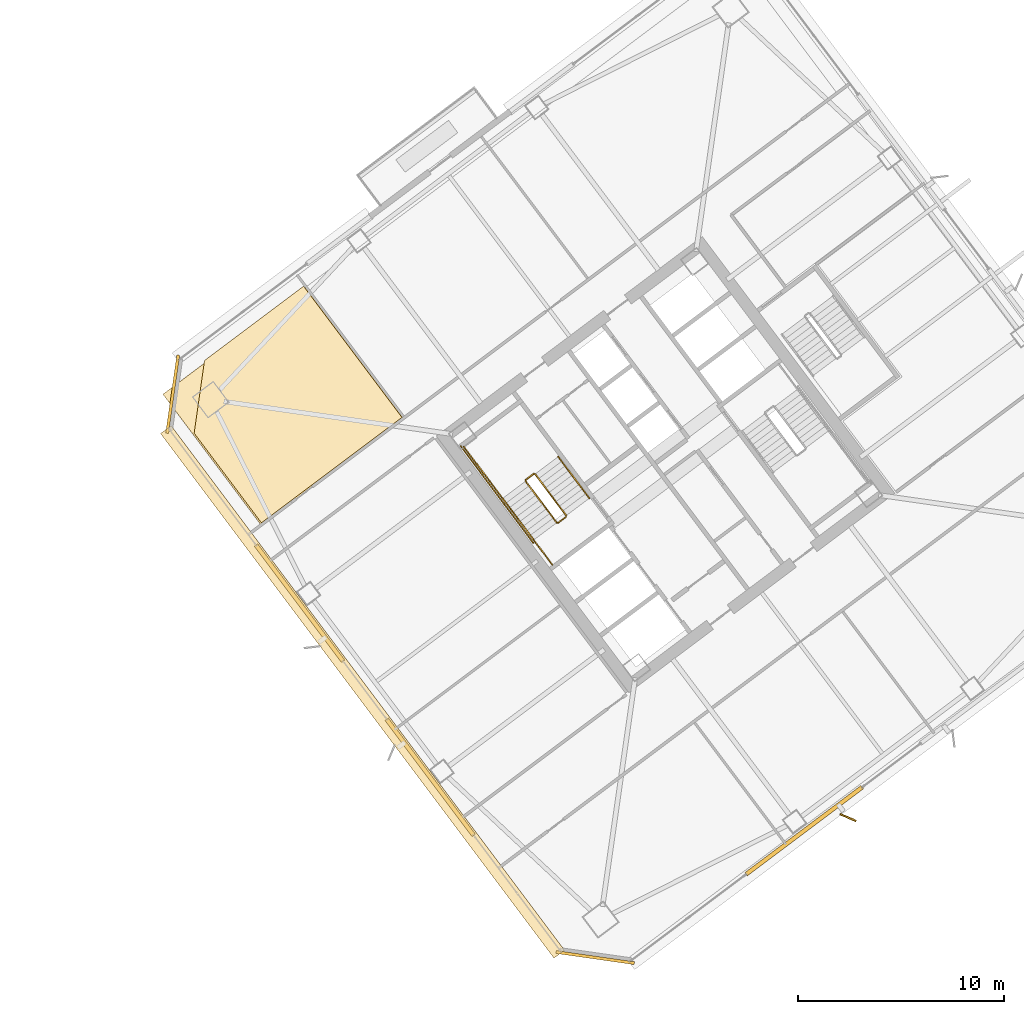
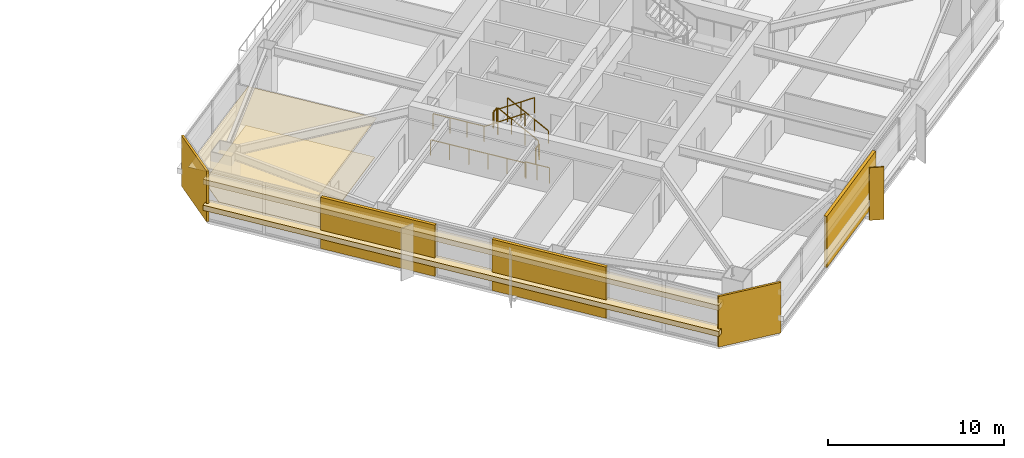
# One storey, part 46 of 48: 9 coverings, 9 railings, 1 shading device.
"""IFC4 building model written with IfcOpenShell, lengths in metres."""

from ifc_helpers import new_model, si_unit, direction, frame, origin, origin_2d, place, context, subcontext, project, spatial, polyline, rectangle, outline, extrude, material, layer, layer_set, type_object, element, save


model = new_model("IFC4")

# Units and contexts
model_context = context("Model", 3, precision=1e-05, world=origin(), true_north=direction((0.0, 1.0)))
body_context = subcontext(model_context, "Body", "Model", "MODEL_VIEW")
ifc_project = project(units=[si_unit("LENGTHUNIT", "METRE"), si_unit("AREAUNIT", "SQUARE_METRE"), si_unit("VOLUMEUNIT", "CUBIC_METRE"), si_unit("PLANEANGLEUNIT", "RADIAN"), si_unit("MASSUNIT", "GRAM", prefix="KILO")], contexts=[model_context])

# Site, building, storey
site_placement = place(None, origin())
site = spatial("IfcSite", under=ifc_project, at=site_placement, CompositionType="ELEMENT")
building_placement = place(site_placement, origin())
building = spatial("IfcBuilding", under=site, at=building_placement, Name="Tashvorn Skyway Center", CompositionType="ELEMENT")
storey_placement = place(building_placement, frame((0.0, 0.0, 125.050048828125)))
storey = spatial("IfcBuildingStorey", under=building, at=storey_placement, Name="L33", CompositionType="ELEMENT", Elevation=125.050048828125)

# Coverings
ifc_material_1 = material(Name="Precast concrete C40/50", Category="concrete")
ifc_layer_1 = layer(ifc_material_1, 0.199951171875)
ifc_layer_set_1 = layer_set([ifc_layer_1], Name="Precast concrete C40/50")
covering_type_1 = type_object("IfcCoveringType", Name="COV-BRACE-CLAD", PredefinedType="CLADDING", material=ifc_layer_set_1)
for number, where, z_axis, x_axis, name in (
    (1, (120.7333984375, 14.199951171875, 0.0), (0.0, 0.0, 1.0), (-0.799999996291, -0.600000004945, 0.0), "Tower 2 L33 South Unitised Curtain Wall Mega-Brace Cladding Band 2"),
    (2, (102.552001953125, 16.79736328125, 0.0), (0.0, 0.0, 1.0), (-0.600000004945, 0.799999996291, 0.0), "Tower 2 L33 West Unitised Curtain Wall Mega-Brace Cladding Band 1"),
    (3, (96.199951171875, 25.2666015625, 0.0), (0.0, 0.0, 1.0), (-0.600000004945, 0.799999996291, 0.0), "Tower 2 L33 West Unitised Curtain Wall Mega-Brace Cladding Band 2"),
):
    element("IfcCovering", number, at=place(storey_placement, frame(where, z_axis=z_axis, x_axis=x_axis)), inside=storey, type_object=covering_type_1, Name=name, PredefinedType="CLADDING", context=body_context, shape_type="SweptSolid", body=[
        extrude(rectangle(XDim=7.0576171875, YDim=0.199951171875, at=origin_2d()), origin(), (0.0, 0.0, 1.0), 3.550048828125),
    ])
ifc_material_2 = material(Name="Mineral-fibre acoustic ceiling tile on suspended grid")
ifc_layer_2 = layer(ifc_material_2, 0.02001953125)
ifc_layer_set_2 = layer_set([ifc_layer_2], Name="Mineral-fibre acoustic ceiling tile on suspended grid")
covering_type_2 = type_object("IfcCoveringType", Name="COV-CEIL-20", PredefinedType="CEILING", material=ifc_layer_set_2)
covering_1_placement = place(storey_placement, frame((0.0, 0.0, 2.702880859375)))
element("IfcCovering", 4, at=covering_1_placement, inside=storey, type_object=covering_type_2, Name="Tower 2 L33 Executive Suite Acoustic Ceiling", PredefinedType="CEILING", context=body_context, shape_type="SweptSolid", body=[
    extrude(outline(polyline([(94.330078125, 29.06005859375), (101.2900390625, 34.280029296875), (96.52001953125, 40.639892578125), (89.56005859375, 35.419921875), (94.330078125, 29.06005859375)])), origin(), (0.0, 0.0, 1.0), 0.02001953125),
])
ifc_material_3 = material(Name="Polished Mojave desert-aggregate terrazzo and cover plate")
ifc_layer_3 = layer(ifc_material_3, 0.0400390625)
ifc_layer_set_3 = layer_set([ifc_layer_3], Name="Polished Mojave desert-aggregate terrazzo and cover plate")
covering_type_3 = type_object("IfcCoveringType", Name="COV-FLR-40", PredefinedType="FLOORING", material=ifc_layer_set_3)
covering_2_placement = place(storey_placement, origin())
element("IfcCovering", 5, at=covering_2_placement, inside=storey, type_object=covering_type_3, Name="Tower 2 L33 Executive Suite Finish Flooring", PredefinedType="FLOORING", context=body_context, shape_type="SweptSolid", body=[
    extrude(outline(polyline([(101.177978515625, 34.2958984375), (94.345947265625, 29.172119140625), (91.075927734375, 33.531982421875), (91.580078125, 37.06005859375), (96.39599609375, 40.672119140625), (101.177978515625, 34.2958984375)])), origin(), (0.0, 0.0, 1.0), 0.0400390625),
])
ifc_material_4 = material(Name="Perforated ceramic-coated bronze aluminium solar screen", Category="aluminium")
ifc_layer_4 = layer(ifc_material_4, 0.85009765625)
ifc_layer_set_4 = layer_set([ifc_layer_4], Name="Perforated ceramic-coated bronze aluminium solar screen")
covering_type_4 = type_object("IfcCoveringType", Name="COV-SOLAR-BAND", PredefinedType="CLADDING", material=ifc_layer_set_4)
for number, where, z_axis, x_axis, name in (
    (6, (99.263916015625, 20.947998046875, 0.919921875), (0.0, 0.0, 1.0), (-0.600000004945, 0.799999996291, 0.0), "L33 Perforated Ceramic-Metal Solar Screen Louvre Band West 1"),
    (7, (99.263916015625, 20.947998046875, 2.7197265625), (0.0, 0.0, 1.0), (-0.600000004945, 0.799999996291, 0.0), "L33 Perforated Ceramic-Metal Solar Screen Louvre Band West 2"),
):
    element("IfcCovering", number, at=place(storey_placement, frame(where, z_axis=z_axis, x_axis=x_axis)), inside=storey, type_object=covering_type_4, Name=name, PredefinedType="CLADDING", context=body_context, shape_type="SweptSolid", body=[
        extrude(rectangle(XDim=31.8798828125, YDim=0.639892578125, at=origin_2d()), origin(), (0.0, 0.0, 1.0), 0.360107421875),
    ])
ifc_layer_5 = layer(ifc_material_1, 0.35009765625)
ifc_layer_set_5 = layer_set([ifc_layer_5], Name="Precast concrete C40/50")
covering_type_5 = type_object("IfcCoveringType", Name="COV-STONE-TRIM", PredefinedType="CLADDING", material=ifc_layer_set_5)
for number, where, z_axis, x_axis, name in (
    (8, (110.575927734375, 8.031982421875, 0.02001953125), (0.0, 0.0, 1.0), (-0.989949494535, 0.141421350118, 0.0), "Tower 2 L33 SW Mojave Limestone Corner Quoin"),
    (9, (90.031982421875, 35.424072265625, 0.02001953125), (0.0, 0.0, 1.0), (-0.141421350118, -0.989949494535, 0.0), "Tower 2 L33 NW Mojave Limestone Corner Quoin"),
):
    element("IfcCovering", number, at=place(storey_placement, frame(where, z_axis=z_axis, x_axis=x_axis)), inside=storey, type_object=covering_type_5, Name=name, PredefinedType="CLADDING", context=body_context, shape_type="SweptSolid", body=[
        extrude(rectangle(XDim=3.8369140625, YDim=0.139892578125, at=origin_2d()), origin(), (0.0, 0.0, 1.0), 3.510009765625),
    ])

# Railings
ifc_material_5 = material(Name="Brushed stainless steel 316", Category="steel")
railing_type_1 = type_object("IfcRailingType", Name="RAIL-HAND-920", PredefinedType="HANDRAIL", material=ifc_material_5)
railing_1_placement = place(storey_placement, frame((110.2880859375, 30.365966796875, 0.177490234375)))
element("IfcRailing", 10, at=railing_1_placement, inside=storey, type_object=railing_type_1, Name="L33 ST-T2-1 stair handrail 1", PredefinedType="HANDRAIL", context=body_context, shape_type="SweptSolid", body=[
    extrude(rectangle(XDim=0.048095703125, YDim=0.048095703125, at=origin_2d()), frame((0.0, 0.0, 0.8759765625), z_axis=(-0.506801609611, 0.675680931896, 0.535357270211), x_axis=(-0.799976749893, -0.600030998891, 0.0)), (0.0, 0.0, 1.0), 2.98388671875),
    extrude(rectangle(XDim=0.0419921875, YDim=0.0419921875, at=origin_2d()), origin(), (0.0, 0.0, 1.0), 0.851806640625),
    extrude(rectangle(XDim=0.0419921875, YDim=0.0419921875, at=origin_2d()), frame((-0.504150390625, 0.672119140625, 0.532470703125)), (0.0, 0.0, 1.0), 0.851806640625),
    extrude(rectangle(XDim=0.0419921875, YDim=0.0419921875, at=origin_2d()), frame((-1.008056640625, 1.343994140625, 1.06494140625)), (0.0, 0.0, 1.0), 0.851806640625),
    extrude(rectangle(XDim=0.0419921875, YDim=0.0419921875, at=origin_2d()), frame((-1.51220703125, 2.01611328125, 1.597412109375)), (0.0, 0.0, 1.0), 0.851806640625),
])
railing_2_placement = place(storey_placement, frame((106.072021484375, 30.35400390625, 1.952392578125)))
element("IfcRailing", 11, at=railing_2_placement, inside=storey, type_object=railing_type_1, Name="L33 ST-T2-1 stair handrail 2", PredefinedType="HANDRAIL", context=body_context, shape_type="SweptSolid", body=[
    extrude(rectangle(XDim=0.048095703125, YDim=0.048095703125, at=origin_2d()), frame((0.0, 0.0, 0.8759765625), z_axis=(0.506718600913, -0.675679348675, 0.535437836974), x_axis=(0.800023250257, 0.599968998406, 0.0)), (0.0, 0.0, 1.0), 2.98388671875),
    extrude(rectangle(XDim=0.0419921875, YDim=0.0419921875, at=origin_2d()), origin(), (0.0, 0.0, 1.0), 0.851806640625),
    extrude(rectangle(XDim=0.0419921875, YDim=0.0419921875, at=origin_2d()), frame((0.50390625, -0.672119140625, 0.532470703125)), (0.0, 0.0, 1.0), 0.851806640625),
    extrude(rectangle(XDim=0.0419921875, YDim=0.0419921875, at=origin_2d()), frame((1.008056640625, -1.343994140625, 1.065185546875)), (0.0, 0.0, 1.0), 0.851806640625),
    extrude(rectangle(XDim=0.0419921875, YDim=0.0419921875, at=origin_2d()), frame((1.511962890625, -2.01611328125, 1.59765625)), (0.0, 0.0, 1.0), 0.851806640625),
])
ifc_material_6 = material(Name="Painted galvanized steel S355", Category="steel")
railing_type_2 = type_object("IfcRailingType", Name="RAIL-STGUARD-1100", PredefinedType="GUARDRAIL", material=ifc_material_6)
railing_3_placement = place(storey_placement, frame((109.16796875, 29.52587890625, 0.177490234375)))
element("IfcRailing", 12, at=railing_3_placement, inside=storey, type_object=railing_type_2, Name="L33 ST-T2-1 stair guard 1", PredefinedType="GUARDRAIL", context=body_context, shape_type="SweptSolid", body=[
    extrude(rectangle(XDim=0.048095703125, YDim=0.048095703125, at=origin_2d()), frame((0.0, 0.0, 1.076171875), z_axis=(-0.506740800098, 0.675708949977, 0.535379469569), x_axis=(-0.800023250257, -0.599968998406, 0.0)), (0.0, 0.0, 1.0), 2.983642578125),
    extrude(rectangle(XDim=0.0419921875, YDim=0.0419921875, at=origin_2d()), origin(), (0.0, 0.0, 1.0), 1.052001953125),
    extrude(rectangle(XDim=0.0419921875, YDim=0.0419921875, at=origin_2d()), frame((-0.50390625, 0.672119140625, 0.532470703125)), (0.0, 0.0, 1.0), 1.052001953125),
    extrude(rectangle(XDim=0.0419921875, YDim=0.0419921875, at=origin_2d()), frame((-1.008056640625, 1.343994140625, 1.06494140625)), (0.0, 0.0, 1.0), 1.052001953125),
    extrude(rectangle(XDim=0.0419921875, YDim=0.0419921875, at=origin_2d()), frame((-1.511962890625, 2.01611328125, 1.597412109375)), (0.0, 0.0, 1.0), 1.052001953125),
])
railing_4_placement = place(storey_placement, frame((107.5859375, 31.552001953125, 1.77490234375)))
element("IfcRailing", 13, at=railing_4_placement, inside=storey, type_object=railing_type_2, Name="L33 ST-T2-1 stair guard 2", PredefinedType="GUARDRAIL", context=body_context, shape_type="SweptSolid", body=[
    extrude(rectangle(XDim=0.048095703125, YDim=0.048095703125, at=origin_2d()), frame((0.0, 0.0, 1.076171875), z_axis=(-0.799938970639, -0.600081363861, 0.0), x_axis=(0.600081363861, -0.799938970639, 0.0)), (0.0, 0.0, 1.0), 0.47998046875),
    extrude(rectangle(XDim=0.0419921875, YDim=0.0419921875, at=origin_2d()), origin(), (0.0, 0.0, 1.0), 1.052001953125),
    extrude(rectangle(XDim=0.0419921875, YDim=0.0419921875, at=origin_2d()), frame((-0.384033203125, -0.2880859375, 0.0)), (0.0, 0.0, 1.0), 1.052001953125),
])
railing_5_placement = place(storey_placement, frame((106.072021484375, 30.35400390625, 1.77490234375)))
element("IfcRailing", 14, at=railing_5_placement, inside=storey, type_object=railing_type_2, Name="L33 ST-T2-1 stair guard 3", PredefinedType="GUARDRAIL", context=body_context, shape_type="SweptSolid", body=[
    extrude(rectangle(XDim=0.048095703125, YDim=0.048095703125, at=origin_2d()), frame((0.0, 0.0, 1.076171875), z_axis=(-0.599987638607, 0.800009270896, 0.0), x_axis=(-0.800009270896, -0.599987638607, 0.0)), (0.0, 0.0, 1.0), 3.16015625),
    extrude(rectangle(XDim=0.0419921875, YDim=0.0419921875, at=origin_2d()), origin(), (0.0, 0.0, 1.0), 1.052001953125),
    extrude(rectangle(XDim=0.0419921875, YDim=0.0419921875, at=origin_2d()), frame((-0.632080078125, 0.8427734375, 0.0)), (0.0, 0.0, 1.0), 1.052001953125),
    extrude(rectangle(XDim=0.0419921875, YDim=0.0419921875, at=origin_2d()), frame((-1.263916015625, 1.685302734375, 0.0)), (0.0, 0.0, 1.0), 1.052001953125),
    extrude(rectangle(XDim=0.0419921875, YDim=0.0419921875, at=origin_2d()), frame((-1.89599609375, 2.528076171875, 0.0)), (0.0, 0.0, 1.0), 1.052001953125),
])
railing_6_placement = place(storey_placement, frame((107.19189453125, 31.194091796875, 1.952392578125)))
element("IfcRailing", 15, at=railing_6_placement, inside=storey, type_object=railing_type_2, Name="L33 ST-T2-1 stair guard 4", PredefinedType="GUARDRAIL", context=body_context, shape_type="SweptSolid", body=[
    extrude(rectangle(XDim=0.048095703125, YDim=0.048095703125, at=origin_2d()), frame((0.0, 0.0, 1.076171875), z_axis=(0.506779409603, -0.675651334276, 0.53541563714), x_axis=(0.799976749893, 0.600030998891, 0.0)), (0.0, 0.0, 1.0), 2.98388671875),
    extrude(rectangle(XDim=0.0419921875, YDim=0.0419921875, at=origin_2d()), origin(), (0.0, 0.0, 1.0), 1.052001953125),
    extrude(rectangle(XDim=0.0419921875, YDim=0.0419921875, at=origin_2d()), frame((0.504150390625, -0.672119140625, 0.532470703125)), (0.0, 0.0, 1.0), 1.052001953125),
    extrude(rectangle(XDim=0.0419921875, YDim=0.0419921875, at=origin_2d()), frame((1.008056640625, -1.343994140625, 1.065185546875)), (0.0, 0.0, 1.0), 1.052001953125),
    extrude(rectangle(XDim=0.0419921875, YDim=0.0419921875, at=origin_2d()), frame((1.51220703125, -2.01611328125, 1.59765625)), (0.0, 0.0, 1.0), 1.052001953125),
])
railing_7_placement = place(storey_placement, frame((109.157958984375, 29.4560546875, 0.0)))
element("IfcRailing", 16, at=railing_7_placement, inside=storey, type_object=railing_type_2, Name="L33 ST-T2-1 stair guard 5", PredefinedType="GUARDRAIL", context=body_context, shape_type="SweptSolid", body=[
    extrude(rectangle(XDim=0.048095703125, YDim=0.048095703125, at=origin_2d()), frame((0.0, 0.0, 1.076171875), z_axis=(-0.799938970639, -0.600081363861, 0.0), x_axis=(0.600081363861, -0.799938970639, 0.0)), (0.0, 0.0, 1.0), 0.47998046875),
    extrude(rectangle(XDim=0.0419921875, YDim=0.0419921875, at=origin_2d()), origin(), (0.0, 0.0, 1.0), 1.052001953125),
    extrude(rectangle(XDim=0.0419921875, YDim=0.0419921875, at=origin_2d()), frame((-0.384033203125, -0.2880859375, 0.0)), (0.0, 0.0, 1.0), 1.052001953125),
])
railing_8_placement = place(storey_placement, frame((108.49609375, 27.1220703125, 0.0)))
element("IfcRailing", 17, at=railing_8_placement, inside=storey, type_object=railing_type_2, Name="L33 ST-T2-1 stair guard 6", PredefinedType="GUARDRAIL", context=body_context, shape_type="SweptSolid", body=[
    extrude(rectangle(XDim=0.048095703125, YDim=0.048095703125, at=origin_2d()), frame((0.0, 0.0, 1.076171875), z_axis=(-0.600102796382, 0.799922892393, 0.0), x_axis=(-0.799922892393, -0.600102796382, 0.0)), (0.0, 0.0, 1.0), 1.52001953125),
    extrude(rectangle(XDim=0.0419921875, YDim=0.0419921875, at=origin_2d()), origin(), (0.0, 0.0, 1.0), 1.052001953125),
    extrude(rectangle(XDim=0.0419921875, YDim=0.0419921875, at=origin_2d()), frame((-0.4560546875, 0.60791015625, 0.0)), (0.0, 0.0, 1.0), 1.052001953125),
    extrude(rectangle(XDim=0.0419921875, YDim=0.0419921875, at=origin_2d()), frame((-0.912109375, 1.2158203125, 0.0)), (0.0, 0.0, 1.0), 1.052001953125),
])
railing_9_placement = place(storey_placement, frame((107.56396484375, 28.197998046875, 0.0)))
element("IfcRailing", 18, at=railing_9_placement, inside=storey, type_object=railing_type_2, Name="L33 ST-T2-1 stair guard 7", PredefinedType="GUARDRAIL", context=body_context, shape_type="SweptSolid", body=[
    extrude(rectangle(XDim=0.048095703125, YDim=0.048095703125, at=origin_2d()), frame((0.0, 0.0, 1.076171875), z_axis=(-0.6, 0.8, 0.0), x_axis=(-0.8, -0.6, 0.0)), (0.0, 0.0, 1.0), 5.880126953125),
    extrude(rectangle(XDim=0.0419921875, YDim=0.0419921875, at=origin_2d()), origin(), (0.0, 0.0, 1.0), 1.052001953125),
    extrude(rectangle(XDim=0.0419921875, YDim=0.0419921875, at=origin_2d()), frame((-0.70556640625, 0.94091796875, 0.0)), (0.0, 0.0, 1.0), 1.052001953125),
    extrude(rectangle(XDim=0.0419921875, YDim=0.0419921875, at=origin_2d()), frame((-1.4111328125, 1.881591796875, 0.0)), (0.0, 0.0, 1.0), 1.052001953125),
    extrude(rectangle(XDim=0.0419921875, YDim=0.0419921875, at=origin_2d()), frame((-2.116943359375, 2.822509765625, 0.0)), (0.0, 0.0, 1.0), 1.052001953125),
    extrude(rectangle(XDim=0.0419921875, YDim=0.0419921875, at=origin_2d()), frame((-2.822509765625, 3.76318359375, 0.0)), (0.0, 0.0, 1.0), 1.052001953125),
    extrude(rectangle(XDim=0.0419921875, YDim=0.0419921875, at=origin_2d()), frame((-3.528076171875, 4.7041015625, 0.0)), (0.0, 0.0, 1.0), 1.052001953125),
])

# Shading device
ifc_layer_6 = layer(ifc_material_4, 0.06005859375)
ifc_layer_set_6 = layer_set([ifc_layer_6], Name="Perforated ceramic-coated bronze aluminium solar screen")
shading_device_type = type_object("IfcShadingDeviceType", Name="SHD-SOLAR-850", PredefinedType="USERDEFINED", material=ifc_layer_set_6)
shading_device_placement = place(storey_placement, frame((122.8701171875, 14.840087890625, -0.10009765625), z_axis=(0.0, 0.0, 1.0), x_axis=(-0.392820317343, -0.919615244699, 0.0)))
element("IfcShadingDevice", 19, at=shading_device_placement, inside=storey, type_object=shading_device_type, Name="Tower 2 L33 Perforated Ceramic-Metal Solar Screen S1", ObjectType="SCREEN", PredefinedType="USERDEFINED", context=body_context, shape_type="SweptSolid", body=[
    extrude(rectangle(XDim=0.080078125, YDim=0.85009765625, at=origin_2d()), origin(), (0.0, 0.0, 1.0), 3.64990234375),
])

save(model, "model.ifc")
